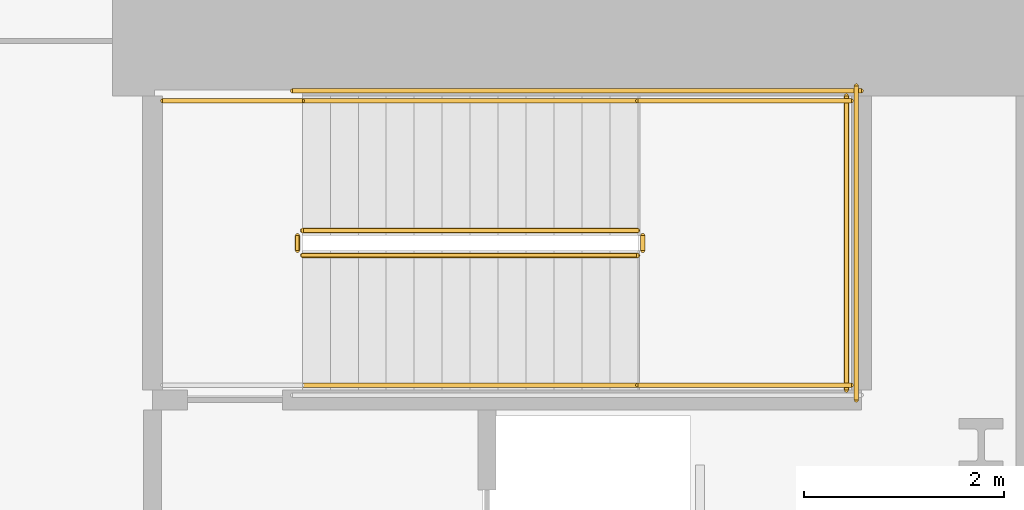
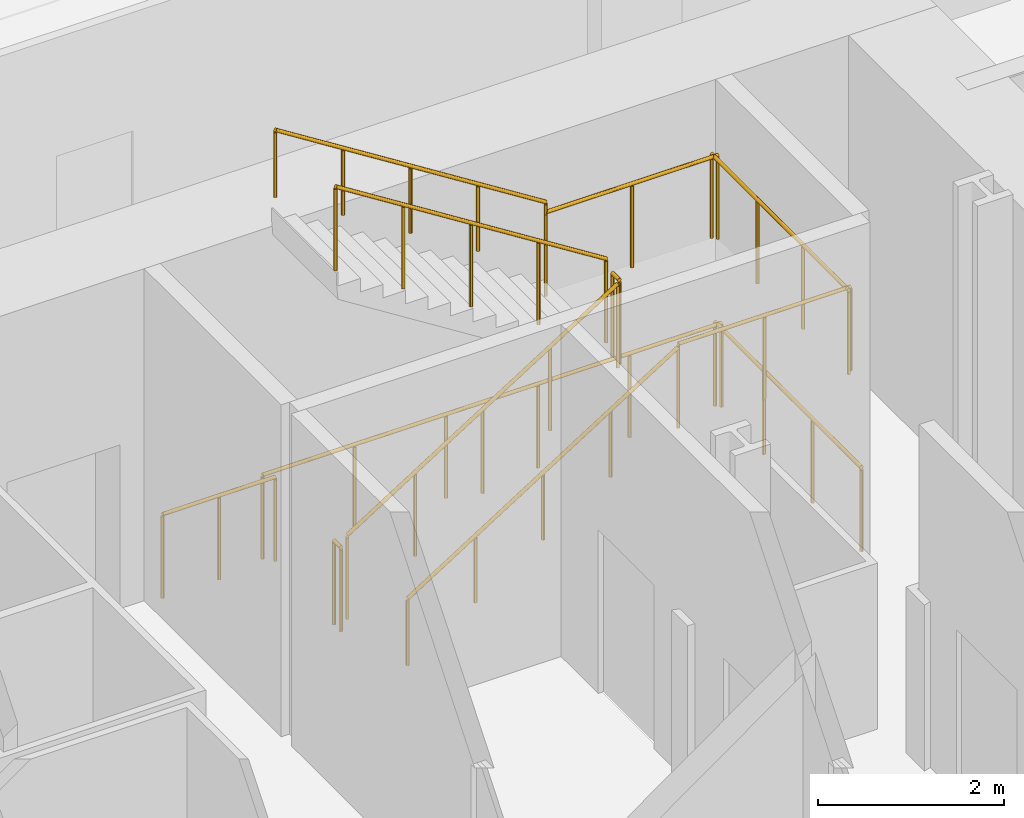
# One storey, part 15 of 18: 12 railings.
"""IFC4 building model written with IfcOpenShell, lengths in metres."""

from ifc_helpers import new_model, si_unit, direction, frame, origin, origin_2d, place, context, subcontext, project, spatial, circle, extrude, material, type_object, element, save


model = new_model("IFC4")

# Units and contexts
model_context = context("Model", 3, precision=1e-05, world=origin(), true_north=direction((0.0, 1.0)))
body_context = subcontext(model_context, "Body", "Model", "MODEL_VIEW")
ifc_project = project(units=[si_unit("LENGTHUNIT", "METRE"), si_unit("AREAUNIT", "SQUARE_METRE"), si_unit("VOLUMEUNIT", "CUBIC_METRE"), si_unit("PLANEANGLEUNIT", "RADIAN"), si_unit("MASSUNIT", "GRAM", prefix="KILO")], contexts=[model_context])

# Site, building, storey
site_placement = place(None, origin())
site = spatial("IfcSite", under=ifc_project, at=site_placement, CompositionType="ELEMENT")
building_placement = place(site_placement, origin())
building = spatial("IfcBuilding", under=site, at=building_placement, Name="Valkerne Bourse Tower", CompositionType="ELEMENT")
storey_placement = place(building_placement, frame((0.0, 0.0, 14.800048828125)))
storey = spatial("IfcBuildingStorey", under=building, at=storey_placement, Name="L03", CompositionType="ELEMENT", Elevation=14.800048828125)

# Railings
ifc_material_1 = material(Name="Galvanised Painted Steel", Category="steel")
railing_type_1 = type_object("IfcRailingType", Name="RLG-ST-GUARD-1120", PredefinedType="GUARDRAIL", material=ifc_material_1)
railing_1_placement = place(storey_placement, frame((48.14990234375, 33.550048828125, 0.1767578125)))
element("IfcRailing", 1, at=railing_1_placement, inside=storey, type_object=railing_type_1, Name="L03 ST-2 stair guard 1", PredefinedType="GUARDRAIL", context=body_context, shape_type="SweptSolid", body=[
    extrude(circle(Radius=0.02392578125, at=origin_2d()), frame((0.0, 0.0, 1.09619140625), z_axis=(0.845361898145, 0.0, 0.534194029511), x_axis=(0.0, 1.0, 0.0)), (0.0, 0.0, 1.0), 3.974853515625),
    extrude(circle(Radius=0.02099609375, at=origin_2d()), origin(), (0.0, 0.0, 1.0), 1.072021484375),
    extrude(circle(Radius=0.02099609375, at=origin_2d()), frame((0.840087890625, 0.0, 0.53076171875)), (0.0, 0.0, 1.0), 1.072021484375),
    extrude(circle(Radius=0.02099609375, at=origin_2d()), frame((1.68017578125, 0.0, 1.0615234375)), (0.0, 0.0, 1.0), 1.072021484375),
    extrude(circle(Radius=0.02099609375, at=origin_2d()), frame((2.52001953125, 0.0, 1.592529296875)), (0.0, 0.0, 1.0), 1.072021484375),
    extrude(circle(Radius=0.02099609375, at=origin_2d()), frame((3.360107421875, 0.0, 2.123291015625)), (0.0, 0.0, 1.0), 1.072021484375),
])
railing_2_placement = place(storey_placement, frame((51.56005859375, 33.60009765625, 2.300048828125)))
element("IfcRailing", 2, at=railing_2_placement, inside=storey, type_object=railing_type_1, Name="L03 ST-2 stair guard 2", PredefinedType="GUARDRAIL", context=body_context, shape_type="SweptSolid", body=[
    extrude(circle(Radius=0.02392578125, at=origin_2d()), frame((0.0, 0.0, 1.09619140625), z_axis=(0.0, 1.0, 0.0), x_axis=(-1.0, 0.0, 0.0)), (0.0, 0.0, 1.0), 0.14990234375),
    extrude(circle(Radius=0.02099609375, at=origin_2d()), origin(), (0.0, 0.0, 1.0), 1.072021484375),
    extrude(circle(Radius=0.02099609375, at=origin_2d()), frame((0.0, 0.14990234375, 0.0)), (0.0, 0.0, 1.0), 1.072021484375),
])
for number, where, name in (
    (3, (51.510009765625, 32.25, 2.300048828125), "L03 ST-2 stair guard 3"),
    (4, (51.510009765625, 35.10009765625, 2.300048828125), "L03 ST-2 stair guard 4"),
):
    element("IfcRailing", number, at=place(storey_placement, frame(where)), inside=storey, type_object=railing_type_1, Name=name, PredefinedType="GUARDRAIL", context=body_context, shape_type="SweptSolid", body=[
        extrude(circle(Radius=0.02392578125, at=origin_2d()), frame((0.0, 0.0, 1.09619140625), z_axis=(1.0, 0.0, 0.0), x_axis=(0.0, 1.0, 0.0)), (0.0, 0.0, 1.0), 2.139892578125),
        extrude(circle(Radius=0.02099609375, at=origin_2d()), origin(), (0.0, 0.0, 1.0), 1.072021484375),
        extrude(circle(Radius=0.02099609375, at=origin_2d()), frame((1.06982421875, 0.0, 0.0)), (0.0, 0.0, 1.0), 1.072021484375),
        extrude(circle(Radius=0.02099609375, at=origin_2d()), frame((2.139892578125, 0.0, 0.0)), (0.0, 0.0, 1.0), 1.072021484375),
    ])
railing_3_placement = place(storey_placement, frame((53.60009765625, 32.199951171875, 2.300048828125)))
element("IfcRailing", 5, at=railing_3_placement, inside=storey, type_object=railing_type_1, Name="L03 ST-2 stair guard 5", PredefinedType="GUARDRAIL", context=body_context, shape_type="SweptSolid", body=[
    extrude(circle(Radius=0.02392578125, at=origin_2d()), frame((0.0, 0.0, 1.09619140625), z_axis=(0.0, 1.0, 0.0), x_axis=(-1.0, 0.0, 0.0)), (0.0, 0.0, 1.0), 2.949951171875),
    extrude(circle(Radius=0.02099609375, at=origin_2d()), origin(), (0.0, 0.0, 1.0), 1.072021484375),
    extrude(circle(Radius=0.02099609375, at=origin_2d()), frame((0.0, 0.9833984375, 0.0)), (0.0, 0.0, 1.0), 1.072021484375),
    extrude(circle(Radius=0.02099609375, at=origin_2d()), frame((0.0, 1.966552734375, 0.0)), (0.0, 0.0, 1.0), 1.072021484375),
    extrude(circle(Radius=0.02099609375, at=origin_2d()), frame((0.0, 2.949951171875, 0.0)), (0.0, 0.0, 1.0), 1.072021484375),
])
railing_4_placement = place(storey_placement, frame((51.510009765625, 33.800048828125, 2.476806640625)))
element("IfcRailing", 6, at=railing_4_placement, inside=storey, type_object=railing_type_1, Name="L03 ST-2 stair guard 6", PredefinedType="GUARDRAIL", context=body_context, shape_type="SweptSolid", body=[
    extrude(circle(Radius=0.02392578125, at=origin_2d()), frame((0.0, 0.0, 1.09619140625), z_axis=(-0.845389635667, 0.0, 0.534150132366), x_axis=(0.0, -1.0, 0.0)), (0.0, 0.0, 1.0), 3.974609375),
    extrude(circle(Radius=0.02099609375, at=origin_2d()), origin(), (0.0, 0.0, 1.0), 1.072021484375),
    extrude(circle(Radius=0.02099609375, at=origin_2d()), frame((-0.840087890625, 0.0, 0.53076171875)), (0.0, 0.0, 1.0), 1.072021484375),
    extrude(circle(Radius=0.02099609375, at=origin_2d()), frame((-1.68017578125, 0.0, 1.0615234375)), (0.0, 0.0, 1.0), 1.072021484375),
    extrude(circle(Radius=0.02099609375, at=origin_2d()), frame((-2.52001953125, 0.0, 1.59228515625)), (0.0, 0.0, 1.0), 1.072021484375),
    extrude(circle(Radius=0.02099609375, at=origin_2d()), frame((-3.360107421875, 0.0, 2.123046875)), (0.0, 0.0, 1.0), 1.072021484375),
])
railing_5_placement = place(storey_placement, frame((48.10009765625, 33.60009765625, 0.0)))
element("IfcRailing", 7, at=railing_5_placement, inside=storey, type_object=railing_type_1, Name="L03 ST-2 stair guard 7", PredefinedType="GUARDRAIL", context=body_context, shape_type="SweptSolid", body=[
    extrude(circle(Radius=0.02392578125, at=origin_2d()), frame((0.0, 0.0, 1.09619140625), z_axis=(0.0, 1.0, 0.0), x_axis=(-1.0, 0.0, 0.0)), (0.0, 0.0, 1.0), 0.14990234375),
    extrude(circle(Radius=0.02099609375, at=origin_2d()), origin(), (0.0, 0.0, 1.0), 1.072021484375),
    extrude(circle(Radius=0.02099609375, at=origin_2d()), frame((0.0, 0.14990234375, 0.0)), (0.0, 0.0, 1.0), 1.072021484375),
])
railing_6_placement = place(storey_placement, frame((46.75, 35.10009765625, 0.0)))
element("IfcRailing", 8, at=railing_6_placement, inside=storey, type_object=railing_type_1, Name="L03 ST-2 stair guard 9", PredefinedType="GUARDRAIL", context=body_context, shape_type="SweptSolid", body=[
    extrude(circle(Radius=0.02392578125, at=origin_2d()), frame((0.0, 0.0, 1.09619140625), z_axis=(1.0, 0.0, 0.0), x_axis=(0.0, 1.0, 0.0)), (0.0, 0.0, 1.0), 1.39990234375),
    extrude(circle(Radius=0.02099609375, at=origin_2d()), origin(), (0.0, 0.0, 1.0), 1.072021484375),
    extrude(circle(Radius=0.02099609375, at=origin_2d()), frame((0.699951171875, 0.0, 0.0)), (0.0, 0.0, 1.0), 1.072021484375),
    extrude(circle(Radius=0.02099609375, at=origin_2d()), frame((1.39990234375, 0.0, 0.0)), (0.0, 0.0, 1.0), 1.072021484375),
])
railing_7_placement = place(storey_placement, frame((48.050048828125, 35.199951171875, 0.0)))
element("IfcRailing", 9, at=railing_7_placement, inside=storey, type_object=railing_type_1, Name="L03 ST-2 stair guard 11", PredefinedType="GUARDRAIL", context=body_context, shape_type="SweptSolid", body=[
    extrude(circle(Radius=0.02392578125, at=origin_2d()), frame((0.0, 0.0, 1.09619140625), z_axis=(1.0, 0.0, 0.0), x_axis=(0.0, 1.0, 0.0)), (0.0, 0.0, 1.0), 5.699951171875),
    extrude(circle(Radius=0.02099609375, at=origin_2d()), origin(), (0.0, 0.0, 1.0), 1.072021484375),
    extrude(circle(Radius=0.02099609375, at=origin_2d()), frame((1.139892578125, 0.0, 0.0)), (0.0, 0.0, 1.0), 1.072021484375),
    extrude(circle(Radius=0.02099609375, at=origin_2d()), frame((2.280029296875, 0.0, 0.0)), (0.0, 0.0, 1.0), 1.072021484375),
    extrude(circle(Radius=0.02099609375, at=origin_2d()), frame((3.419921875, 0.0, 0.0)), (0.0, 0.0, 1.0), 1.072021484375),
    extrude(circle(Radius=0.02099609375, at=origin_2d()), frame((4.56005859375, 0.0, 0.0)), (0.0, 0.0, 1.0), 1.072021484375),
    extrude(circle(Radius=0.02099609375, at=origin_2d()), frame((5.699951171875, 0.0, 0.0)), (0.0, 0.0, 1.0), 1.072021484375),
])
railing_8_placement = place(storey_placement, frame((53.699951171875, 32.10009765625, 0.0)))
element("IfcRailing", 10, at=railing_8_placement, inside=storey, type_object=railing_type_1, Name="L03 ST-2 stair guard 12", PredefinedType="GUARDRAIL", context=body_context, shape_type="SweptSolid", body=[
    extrude(circle(Radius=0.02392578125, at=origin_2d()), frame((0.0, 0.0, 1.09619140625), z_axis=(0.0, 1.0, 0.0), x_axis=(-1.0, 0.0, 0.0)), (0.0, 0.0, 1.0), 3.14990234375),
    extrude(circle(Radius=0.02099609375, at=origin_2d()), origin(), (0.0, 0.0, 1.0), 1.072021484375),
    extrude(circle(Radius=0.02099609375, at=origin_2d()), frame((0.0, 1.050048828125, 0.0)), (0.0, 0.0, 1.0), 1.072021484375),
    extrude(circle(Radius=0.02099609375, at=origin_2d()), frame((0.0, 2.099853515625, 0.0)), (0.0, 0.0, 1.0), 1.072021484375),
    extrude(circle(Radius=0.02099609375, at=origin_2d()), frame((0.0, 3.14990234375, 0.0)), (0.0, 0.0, 1.0), 1.072021484375),
])
ifc_material_2 = material(Name="Stainless Steel AISI 316", Category="steel")
railing_type_2 = type_object("IfcRailingType", Name="RLG-ST-HANDRAIL-900", PredefinedType="HANDRAIL", material=ifc_material_2)
railing_9_placement = place(storey_placement, frame((48.14990234375, 32.25, 0.353759765625)))
element("IfcRailing", 11, at=railing_9_placement, inside=storey, type_object=railing_type_2, Name="L03 ST-2 stair handrail 1", PredefinedType="HANDRAIL", context=body_context, shape_type="SweptSolid", body=[
    extrude(circle(Radius=0.02392578125, at=origin_2d()), frame((0.0, 0.0, 0.8759765625), z_axis=(0.845389635667, 0.0, 0.534150132366), x_axis=(0.0, 1.0, 0.0)), (0.0, 0.0, 1.0), 3.974609375),
    extrude(circle(Radius=0.02099609375, at=origin_2d()), origin(), (0.0, 0.0, 1.0), 0.851806640625),
    extrude(circle(Radius=0.02099609375, at=origin_2d()), frame((0.840087890625, 0.0, 0.53076171875)), (0.0, 0.0, 1.0), 0.851806640625),
    extrude(circle(Radius=0.02099609375, at=origin_2d()), frame((1.68017578125, 0.0, 1.0615234375)), (0.0, 0.0, 1.0), 0.851806640625),
    extrude(circle(Radius=0.02099609375, at=origin_2d()), frame((2.52001953125, 0.0, 1.59228515625)), (0.0, 0.0, 1.0), 0.851806640625),
    extrude(circle(Radius=0.02099609375, at=origin_2d()), frame((3.360107421875, 0.0, 2.123046875)), (0.0, 0.0, 1.0), 0.851806640625),
])
railing_10_placement = place(storey_placement, frame((51.510009765625, 35.10009765625, 2.65380859375)))
element("IfcRailing", 12, at=railing_10_placement, inside=storey, type_object=railing_type_2, Name="L03 ST-2 stair handrail 2", PredefinedType="HANDRAIL", context=body_context, shape_type="SweptSolid", body=[
    extrude(circle(Radius=0.02392578125, at=origin_2d()), frame((0.0, 0.0, 0.8759765625), z_axis=(-0.845389635667, 0.0, 0.534150132366), x_axis=(0.0, -1.0, 0.0)), (0.0, 0.0, 1.0), 3.974609375),
    extrude(circle(Radius=0.02099609375, at=origin_2d()), origin(), (0.0, 0.0, 1.0), 0.851806640625),
    extrude(circle(Radius=0.02099609375, at=origin_2d()), frame((-0.840087890625, 0.0, 0.53076171875)), (0.0, 0.0, 1.0), 0.851806640625),
    extrude(circle(Radius=0.02099609375, at=origin_2d()), frame((-1.68017578125, 0.0, 1.0615234375)), (0.0, 0.0, 1.0), 0.851806640625),
    extrude(circle(Radius=0.02099609375, at=origin_2d()), frame((-2.52001953125, 0.0, 1.59228515625)), (0.0, 0.0, 1.0), 0.851806640625),
    extrude(circle(Radius=0.02099609375, at=origin_2d()), frame((-3.360107421875, 0.0, 2.123046875)), (0.0, 0.0, 1.0), 0.851806640625),
])

save(model, "model.ifc")
